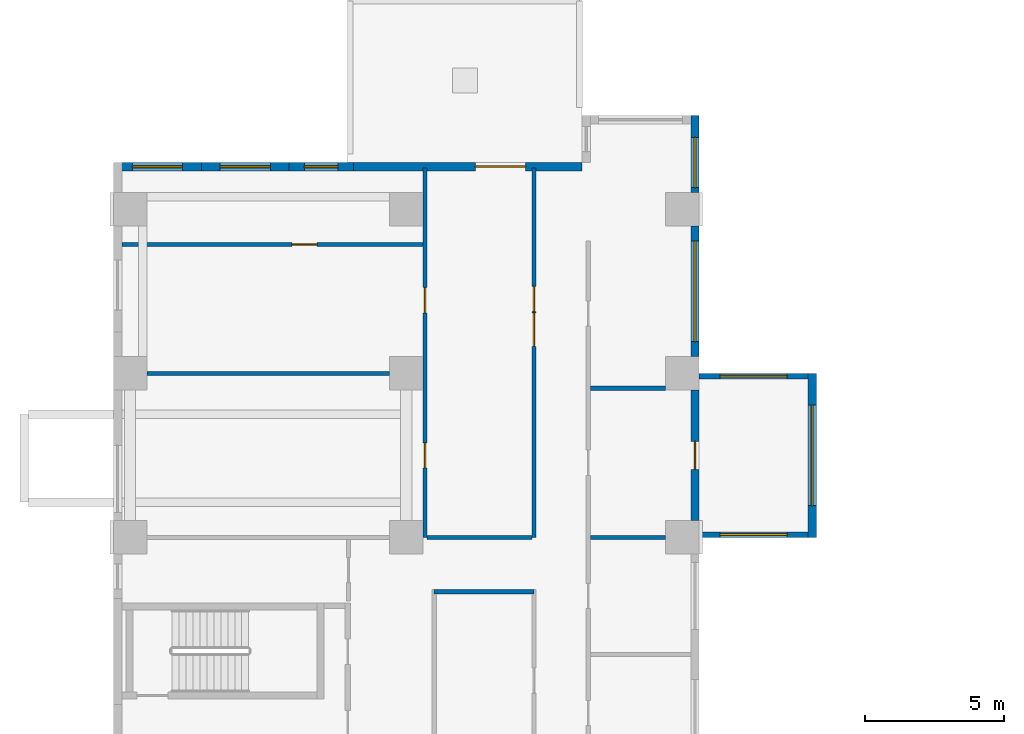
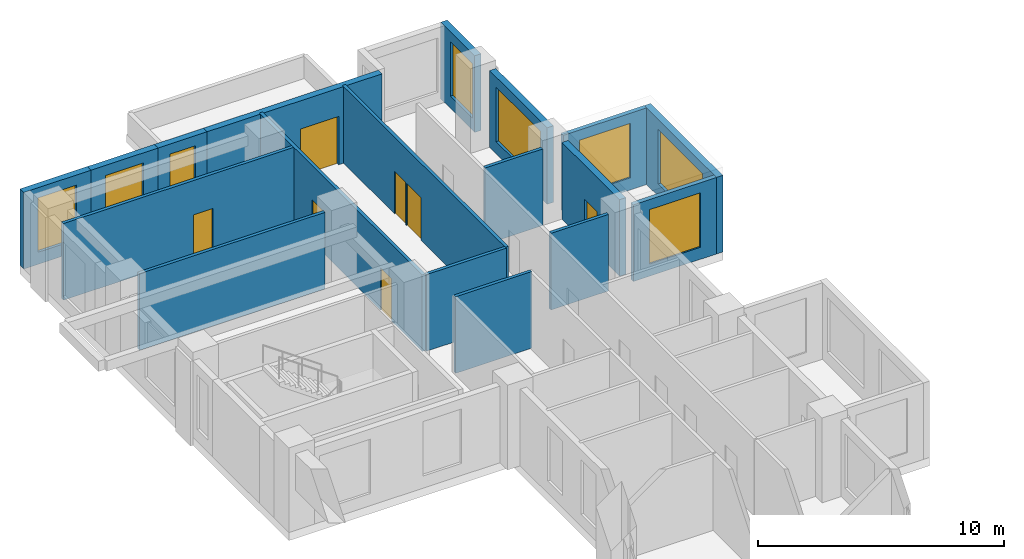
# One storey, part 8 of 14: 18 walls, 8 windows, 7 doors, 15 openings.
"""IFC4 building model written with IfcOpenShell, lengths in metres."""

from ifc_helpers import new_model, si_unit, direction, frame, frame_2d, origin, place, context, subcontext, project, spatial, rectangle, extrude, source, transform, mapped, material, layer, layer_set, type_object, element, fill, save


model = new_model("IFC4")

# Units and contexts
model_context = context("Model", 3, precision=1e-05, world=origin(), true_north=direction((0.0, 1.0)))
body_context = subcontext(model_context, "Body", "Model", "MODEL_VIEW")
ifc_project = project(units=[si_unit("LENGTHUNIT", "METRE"), si_unit("AREAUNIT", "SQUARE_METRE"), si_unit("VOLUMEUNIT", "CUBIC_METRE"), si_unit("PLANEANGLEUNIT", "RADIAN"), si_unit("MASSUNIT", "GRAM", prefix="KILO")], contexts=[model_context])

# Site, building, storey
site_placement = place(None, origin())
site = spatial("IfcSite", under=ifc_project, at=site_placement, CompositionType="ELEMENT")
building_placement = place(site_placement, origin())
building = spatial("IfcBuilding", under=site, at=building_placement, Name="Aurelian Terraces", CompositionType="ELEMENT")
storey_placement = place(building_placement, frame((0.0, 0.0, 78.3)))
storey = spatial("IfcBuildingStorey", under=building, at=storey_placement, Name="L16", CompositionType="ELEMENT", Elevation=78.3)

# Wall, opening, door
ifc_material_1 = material(Name="Terracotta rainscreen cladding", Category="masonry")
ifc_layer_1 = layer(ifc_material_1, 0.3)
ifc_layer_set_1 = layer_set([ifc_layer_1], Name="EW-300")
wall_type_1 = type_object("IfcWallType", Name="EW-300", PredefinedType="STANDARD", material=ifc_layer_set_1)
wall_1_placement = place(storey_placement, frame((16.8, 59.49, 0.0), z_axis=(0.0, 0.0, 1.0), x_axis=(-1.0, 0.0, 0.0)))
wall_1 = element("IfcWall", 1, at=wall_1_placement, inside=storey, type_object=wall_type_1, Name="External wall L16 F11.28", PredefinedType="STANDARD", context=body_context, shape_type="SweptSolid", body=[
    extrude(rectangle(XDim=8.2, YDim=0.3, at=frame_2d((4.1, 0.0))), origin(), (0.0, 0.0, 1.0), 3.8),
])
shared_shape_1 = source(origin(), body_context, "Body", "SweptSolid", [
    extrude(rectangle(XDim=1.8, YDim=2.4, at=frame_2d((0.9, 1.2))), frame((0.0, 0.16, 0.0), z_axis=(0.0, -1.0, 0.0), x_axis=(1.0, 0.0, 0.0)), (0.0, 0.0, 1.0), 0.32),
])
opening_1_placement = place(wall_1_placement, frame((2.025, 0.0, 0.0)))
opening_1 = element("IfcOpeningElement", 2, at=opening_1_placement, cuts=wall_1, Name="Opening 81601", PredefinedType="OPENING", context=body_context, shape_type="MappedRepresentation", body=[
    mapped(shared_shape_1, transform((0.0, 0.0, 0.0), scale=1.0)),
])
ifc_material_2 = material(Name="Clear glazing", Category="glass")
door_type_1 = type_object("IfcDoorType", Name="BD-1800x2400", OperationType="SLIDING_TO_LEFT", PredefinedType="DOOR", material=ifc_material_2)
shared_shape_2 = source(origin(), body_context, "Body", "SweptSolid", [
    extrude(rectangle(XDim=1.8, YDim=2.4, at=frame_2d((0.9, 1.2))), frame((0.0, 0.025, 0.0), z_axis=(0.0, -1.0, 0.0), x_axis=(1.0, 0.0, 0.0)), (0.0, 0.0, 1.0), 0.05),
])
door_1_placement = place(opening_1_placement, origin())
door_1 = element("IfcDoor", 3, at=door_1_placement, inside=storey, type_object=door_type_1, Name="Terrace door L16 L16-F11-28.1", OperationType="SLIDING_TO_LEFT", OverallHeight=2.4, OverallWidth=1.8, PredefinedType="DOOR", context=body_context, shape_type="MappedRepresentation", body=[
    mapped(shared_shape_2, transform((0.0, 0.0, 0.0), scale=1.0)),
])
fill(opening_1, door_1)

# Wall, openings, doors
ifc_material_3 = material(Name="Gypsum board on steel studs", Category="steel")
ifc_layer_2 = layer(ifc_material_3, 0.15)
ifc_layer_set_2 = layer_set([ifc_layer_2], Name="Partition 150")
wall_type_2 = type_object("IfcWallType", Name="Partition 150", PredefinedType="PARTITIONING", material=ifc_layer_set_2)
wall_2_placement = place(storey_placement, frame((11.175, 46.2, 0.0), z_axis=(0.0, 0.0, 1.0), x_axis=(0.0, 1.0, 0.0)))
wall_2 = element("IfcWall", 4, at=wall_2_placement, inside=storey, type_object=wall_type_2, Name="Partition", PredefinedType="PARTITIONING", context=body_context, shape_type="SweptSolid", body=[
    extrude(rectangle(XDim=13.235, YDim=0.15, at=frame_2d((6.6175, 0.0))), origin(), (0.0, 0.0, 1.0), 3.8),
])
shared_shape_3 = source(origin(), body_context, "Body", "SweptSolid", [
    extrude(rectangle(XDim=0.9, YDim=2.1, at=frame_2d((0.45, 1.05))), frame((0.0, 0.085, 0.0), z_axis=(0.0, -1.0, 0.0), x_axis=(1.0, 0.0, 0.0)), (0.0, 0.0, 1.0), 0.17),
])
opening_2_placement = place(wall_2_placement, frame((2.4875, 0.0, 0.0)))
opening_2 = element("IfcOpeningElement", 5, at=opening_2_placement, cuts=wall_2, Name="Opening 716037", PredefinedType="OPENING", context=body_context, shape_type="MappedRepresentation", body=[
    mapped(shared_shape_3, transform((0.0, 0.0, 0.0), scale=1.0)),
])
opening_3_placement = place(wall_2_placement, frame((8.0525, 0.0, 0.0)))
opening_3 = element("IfcOpeningElement", 6, at=opening_3_placement, cuts=wall_2, Name="Opening 716038", PredefinedType="OPENING", context=body_context, shape_type="MappedRepresentation", body=[
    mapped(shared_shape_3, transform((0.0, 0.0, 0.0), scale=1.0)),
])
ifc_material_4 = material(Name="Timber door leaf", Category="wood")
door_type_2 = type_object("IfcDoorType", Name="Room door 900x2100 left", OperationType="SINGLE_SWING_LEFT", PredefinedType="DOOR", material=ifc_material_4)
shared_shape_4 = source(origin(), body_context, "Body", "SweptSolid", [
    extrude(rectangle(XDim=0.9, YDim=2.1, at=frame_2d((0.45, 1.05))), frame((0.0, 0.025, 0.0), z_axis=(0.0, -1.0, 0.0), x_axis=(1.0, 0.0, 0.0)), (0.0, 0.0, 1.0), 0.05),
])
door_2_placement = place(opening_2_placement, origin())
door_2 = element("IfcDoor", 7, at=door_2_placement, inside=storey, type_object=door_type_2, Name="Door 716037", OperationType="SINGLE_SWING_LEFT", OverallHeight=2.1, OverallWidth=0.9, PredefinedType="DOOR", context=body_context, shape_type="MappedRepresentation", body=[
    mapped(shared_shape_4, transform((0.0, 0.0, 0.0), scale=1.0)),
])
fill(opening_2, door_2)
door_type_3 = type_object("IfcDoorType", Name="Room door 900x2100 right", OperationType="SINGLE_SWING_RIGHT", PredefinedType="DOOR", material=ifc_material_4)
door_3_placement = place(opening_3_placement, origin())
door_3 = element("IfcDoor", 8, at=door_3_placement, inside=storey, type_object=door_type_3, Name="Door 716038", OperationType="SINGLE_SWING_RIGHT", OverallHeight=2.1, OverallWidth=0.9, PredefinedType="DOOR", context=body_context, shape_type="MappedRepresentation", body=[
    mapped(shared_shape_4, transform((0.0, 0.0, 0.0), scale=1.0)),
])
fill(opening_3, door_3)

# Wall, opening, window
ifc_material_5 = material(Name="Concrete fc' 40 MPa", Category="concrete")
ifc_layer_3 = layer(ifc_material_5, 0.3)
ifc_layer_set_3 = layer_set([ifc_layer_3], Name="STAIR BAY WALL 300")
wall_type_3 = type_object("IfcWallType", Name="STAIR BAY WALL 300", PredefinedType="SOLIDWALL", material=ifc_layer_set_3)
wall_3_placement = place(storey_placement, frame((8.6, 59.49, 0.0), z_axis=(0.0, 0.0, 1.0), x_axis=(-1.0, 0.0, 0.0)))
wall_3 = element("IfcWall", 9, at=wall_3_placement, inside=storey, type_object=wall_type_3, Name="Bearing wall L16 F11.28", PredefinedType="SOLIDWALL", context=body_context, shape_type="SweptSolid", body=[
    extrude(rectangle(XDim=2.3, YDim=0.3, at=frame_2d((1.15, 0.0))), origin(), (0.0, 0.0, 1.0), 3.8),
])
shared_shape_5 = source(origin(), body_context, "Body", "SweptSolid", [
    extrude(rectangle(XDim=1.2, YDim=2.7, at=frame_2d((0.6, 1.35))), frame((0.0, 0.16, 0.0), z_axis=(0.0, -1.0, 0.0), x_axis=(1.0, 0.0, 0.0)), (0.0, 0.0, 1.0), 0.32),
])
opening_4_placement = place(wall_3_placement, frame((0.55, 0.0, 0.6)))
opening_4 = element("IfcOpeningElement", 10, at=opening_4_placement, cuts=wall_3, Name="Opening W1227", PredefinedType="OPENING", context=body_context, shape_type="MappedRepresentation", body=[
    mapped(shared_shape_5, transform((0.0, 0.0, 0.0), scale=1.0)),
])
window_type_1 = type_object("IfcWindowType", Name="W-1200x2700", PartitioningType="SINGLE_PANEL", PredefinedType="WINDOW", material=ifc_material_2)
shared_shape_6 = source(origin(), body_context, "Body", "SweptSolid", [
    extrude(rectangle(XDim=1.2, YDim=2.7, at=frame_2d((0.6, 1.35))), frame((0.0, 0.03, 0.0), z_axis=(0.0, -1.0, 0.0), x_axis=(1.0, 0.0, 0.0)), (0.0, 0.0, 1.0), 0.06),
])
window_1_placement = place(opening_4_placement, origin())
window_1 = element("IfcWindow", 11, at=window_1_placement, inside=storey, type_object=window_type_1, Name="Window L16 L16-F11-28-P1", OverallHeight=2.7, OverallWidth=1.2, PartitioningType="SINGLE_PANEL", PredefinedType="WINDOW", context=body_context, shape_type="MappedRepresentation", body=[
    mapped(shared_shape_6, transform((0.0, 0.0, 0.0), scale=1.0)),
])
fill(opening_4, window_1)

wall_4_placement = place(storey_placement, frame((6.3, 59.49, 0.0), z_axis=(0.0, 0.0, 1.0), x_axis=(-1.0, 0.0, 0.0)))
wall_4 = element("IfcWall", 12, at=wall_4_placement, inside=storey, type_object=wall_type_3, Name="Bearing wall L16 F11.29", PredefinedType="SOLIDWALL", context=body_context, shape_type="SweptSolid", body=[
    extrude(rectangle(XDim=3.15, YDim=0.3, at=frame_2d((1.575, 0.0))), origin(), (0.0, 0.0, 1.0), 3.8),
])
shared_shape_7 = source(origin(), body_context, "Body", "SweptSolid", [
    extrude(rectangle(XDim=1.8, YDim=2.7, at=frame_2d((0.9, 1.35))), frame((0.0, 0.16, 0.0), z_axis=(0.0, -1.0, 0.0), x_axis=(1.0, 0.0, 0.0)), (0.0, 0.0, 1.0), 0.32),
])
opening_5_placement = place(wall_4_placement, frame((0.675, 0.0, 0.6)))
opening_5 = element("IfcOpeningElement", 13, at=opening_5_placement, cuts=wall_4, Name="Opening W1827", PredefinedType="OPENING", context=body_context, shape_type="MappedRepresentation", body=[
    mapped(shared_shape_7, transform((0.0, 0.0, 0.0), scale=1.0)),
])
window_type_2 = type_object("IfcWindowType", Name="W-1800x2700", PartitioningType="SINGLE_PANEL", PredefinedType="WINDOW", material=ifc_material_2)
shared_shape_8 = source(origin(), body_context, "Body", "SweptSolid", [
    extrude(rectangle(XDim=1.8, YDim=2.7, at=frame_2d((0.9, 1.35))), frame((0.0, 0.03, 0.0), z_axis=(0.0, -1.0, 0.0), x_axis=(1.0, 0.0, 0.0)), (0.0, 0.0, 1.0), 0.06),
])
window_2_placement = place(opening_5_placement, origin())
window_2 = element("IfcWindow", 14, at=window_2_placement, inside=storey, type_object=window_type_2, Name="Window L16 L16-F11-29-0", OverallHeight=2.7, OverallWidth=1.8, PartitioningType="SINGLE_PANEL", PredefinedType="WINDOW", context=body_context, shape_type="MappedRepresentation", body=[
    mapped(shared_shape_8, transform((0.0, 0.0, 0.0), scale=1.0)),
])
fill(opening_5, window_2)

# Wall, opening, door
shared_shape_9 = source(origin(), body_context, "Body", "SweptSolid", [
    extrude(rectangle(XDim=4.68, YDim=0.3, at=frame_2d((2.34, 0.0))), origin(), (0.0, 0.0, 1.0), 3.8),
])
wall_5_placement = place(storey_placement, frame((20.85, 46.8, 0.0), z_axis=(0.0, 0.0, 1.0), x_axis=(0.0, 1.0, 0.0)))
wall_5 = element("IfcWall", 15, at=wall_5_placement, inside=storey, type_object=wall_type_1, Name="External wall L16 F08.23", PredefinedType="STANDARD", context=body_context, shape_type="MappedRepresentation", body=[
    mapped(shared_shape_9, transform((0.0, 0.0, 0.0), scale=1.0)),
])
shared_shape_10 = source(origin(), body_context, "Body", "SweptSolid", [
    extrude(rectangle(XDim=1.0, YDim=2.1, at=frame_2d((0.5, 1.05))), frame((0.0, 0.16, 0.0), z_axis=(0.0, -1.0, 0.0), x_axis=(1.0, 0.0, 0.0)), (0.0, 0.0, 1.0), 0.32),
])
opening_6_placement = place(wall_5_placement, frame((1.84, 0.0, 0.0)))
opening_6 = element("IfcOpeningElement", 16, at=opening_6_placement, cuts=wall_5, Name="Opening 816003", PredefinedType="OPENING", context=body_context, shape_type="MappedRepresentation", body=[
    mapped(shared_shape_10, transform((0.0, 0.0, 0.0), scale=1.0)),
])
door_type_4 = type_object("IfcDoorType", Name="Room door 1000x2100 left", OperationType="SINGLE_SWING_LEFT", PredefinedType="DOOR", material=ifc_material_4)
shared_shape_11 = source(origin(), body_context, "Body", "SweptSolid", [
    extrude(rectangle(XDim=1.0, YDim=2.1, at=frame_2d((0.5, 1.05))), frame((0.0, 0.025, 0.0), z_axis=(0.0, -1.0, 0.0), x_axis=(1.0, 0.0, 0.0)), (0.0, 0.0, 1.0), 0.05),
])
door_4_placement = place(opening_6_placement, origin())
door_4 = element("IfcDoor", 17, at=door_4_placement, inside=storey, type_object=door_type_4, Name="Door 816003", OperationType="SINGLE_SWING_LEFT", OverallHeight=2.1, OverallWidth=1.0, PredefinedType="DOOR", context=body_context, shape_type="MappedRepresentation", body=[
    mapped(shared_shape_11, transform((0.0, 0.0, 0.0), scale=1.0)),
])
fill(opening_6, door_4)

# Wall, opening, window
wall_6_placement = place(storey_placement, frame((20.85, 52.68, 0.0), z_axis=(0.0, 0.0, 1.0), x_axis=(0.0, 1.0, 0.0)))
wall_6 = element("IfcWall", 18, at=wall_6_placement, inside=storey, type_object=wall_type_1, Name="External wall L16 F08.24", PredefinedType="STANDARD", context=body_context, shape_type="MappedRepresentation", body=[
    mapped(shared_shape_9, transform((0.0, 0.0, 0.0), scale=1.0)),
])
shared_shape_12 = source(origin(), body_context, "Body", "SweptSolid", [
    extrude(rectangle(XDim=3.6, YDim=2.7, at=frame_2d((1.8, 1.35))), frame((0.0, 0.16, 0.0), z_axis=(0.0, -1.0, 0.0), x_axis=(1.0, 0.0, 0.0)), (0.0, 0.0, 1.0), 0.32),
])
opening_7_placement = place(wall_6_placement, frame((0.54, 0.0, 0.6)))
opening_7 = element("IfcOpeningElement", 19, at=opening_7_placement, cuts=wall_6, Name="Opening W3627", PredefinedType="OPENING", context=body_context, shape_type="MappedRepresentation", body=[
    mapped(shared_shape_12, transform((0.0, 0.0, 0.0), scale=1.0)),
])
window_type_3 = type_object("IfcWindowType", Name="W-3600x2700", PartitioningType="SINGLE_PANEL", PredefinedType="WINDOW", material=ifc_material_2)
shared_shape_13 = source(origin(), body_context, "Body", "SweptSolid", [
    extrude(rectangle(XDim=3.6, YDim=2.7, at=frame_2d((1.8, 1.35))), frame((0.0, 0.03, 0.0), z_axis=(0.0, -1.0, 0.0), x_axis=(1.0, 0.0, 0.0)), (0.0, 0.0, 1.0), 0.06),
])
window_3_placement = place(opening_7_placement, origin())
window_3 = element("IfcWindow", 20, at=window_3_placement, inside=storey, type_object=window_type_3, Name="Window L16 L16-F08-24-0", OverallHeight=2.7, OverallWidth=3.6, PartitioningType="SINGLE_PANEL", PredefinedType="WINDOW", context=body_context, shape_type="MappedRepresentation", body=[
    mapped(shared_shape_13, transform((0.0, 0.0, 0.0), scale=1.0)),
])
fill(opening_7, window_3)

shared_shape_14 = source(origin(), body_context, "Body", "SweptSolid", [
    extrude(rectangle(XDim=2.76, YDim=0.3, at=frame_2d((1.38, 0.0))), origin(), (0.0, 0.0, 1.0), 3.8),
])
wall_7_placement = place(storey_placement, frame((20.85, 58.56, 0.0), z_axis=(0.0, 0.0, 1.0), x_axis=(0.0, 1.0, 0.0)))
wall_7 = element("IfcWall", 21, at=wall_7_placement, inside=storey, type_object=wall_type_1, Name="External wall L16 F08.25", PredefinedType="STANDARD", context=body_context, shape_type="MappedRepresentation", body=[
    mapped(shared_shape_14, transform((0.0, 0.0, 0.0), scale=1.0)),
])
opening_8_placement = place(wall_7_placement, frame((0.18, 0.0, 0.6)))
opening_8 = element("IfcOpeningElement", 22, at=opening_8_placement, cuts=wall_7, Name="Opening W1827", PredefinedType="OPENING", context=body_context, shape_type="MappedRepresentation", body=[
    mapped(shared_shape_7, transform((0.0, 0.0, 0.0), scale=1.0)),
])
window_4_placement = place(opening_8_placement, origin())
window_4 = element("IfcWindow", 23, at=window_4_placement, inside=storey, type_object=window_type_2, Name="Window L16 L16-F08-25-0", OverallHeight=2.7, OverallWidth=1.8, PartitioningType="SINGLE_PANEL", PredefinedType="WINDOW", context=body_context, shape_type="MappedRepresentation", body=[
    mapped(shared_shape_8, transform((0.0, 0.0, 0.0), scale=1.0)),
])
fill(opening_8, window_4)

ifc_layer_4 = layer(ifc_material_5, 0.2)
ifc_layer_set_4 = layer_set([ifc_layer_4], Name="BOX BEARING WALL 200")
wall_type_4 = type_object("IfcWallType", Name="BOX BEARING WALL 200", PredefinedType="SOLIDWALL", material=ifc_layer_set_4)
shared_shape_15 = source(origin(), body_context, "Body", "SweptSolid", [
    extrude(rectangle(XDim=3.9, YDim=0.2, at=frame_2d((1.95, 0.0))), origin(), (0.0, 0.0, 1.0), 3.8),
])
wall_8_placement = place(storey_placement, frame((21.0, 46.3, 0.0), z_axis=(0.0, 0.0, 1.0), x_axis=(1.0, 0.0, 0.0)))
wall_8 = element("IfcWall", 24, at=wall_8_placement, inside=storey, type_object=wall_type_4, Name="Box return L16 J18.1", PredefinedType="SOLIDWALL", context=body_context, shape_type="MappedRepresentation", body=[
    mapped(shared_shape_15, transform((0.0, 0.0, 0.0), scale=1.0)),
])
shared_shape_16 = source(origin(), body_context, "Body", "SweptSolid", [
    extrude(rectangle(XDim=2.4, YDim=2.7, at=frame_2d((1.2, 1.35))), frame((0.0, 0.11, 0.0), z_axis=(0.0, -1.0, 0.0), x_axis=(1.0, 0.0, 0.0)), (0.0, 0.0, 1.0), 0.22),
])
opening_9_placement = place(wall_8_placement, frame((0.75, 0.0, 0.6)))
opening_9 = element("IfcOpeningElement", 25, at=opening_9_placement, cuts=wall_8, Name="Opening W2427", PredefinedType="OPENING", context=body_context, shape_type="MappedRepresentation", body=[
    mapped(shared_shape_16, transform((0.0, 0.0, 0.0), scale=1.0)),
])
window_type_4 = type_object("IfcWindowType", Name="W-2400x2700", PartitioningType="SINGLE_PANEL", PredefinedType="WINDOW", material=ifc_material_2)
shared_shape_17 = source(origin(), body_context, "Body", "SweptSolid", [
    extrude(rectangle(XDim=2.4, YDim=2.7, at=frame_2d((1.2, 1.35))), frame((0.0, 0.03, 0.0), z_axis=(0.0, -1.0, 0.0), x_axis=(1.0, 0.0, 0.0)), (0.0, 0.0, 1.0), 0.06),
])
window_5_placement = place(opening_9_placement, origin())
window_5 = element("IfcWindow", 26, at=window_5_placement, inside=storey, type_object=window_type_4, Name="Window L16 J18-S1", OverallHeight=2.7, OverallWidth=2.4, PartitioningType="SINGLE_PANEL", PredefinedType="WINDOW", context=body_context, shape_type="MappedRepresentation", body=[
    mapped(shared_shape_17, transform((0.0, 0.0, 0.0), scale=1.0)),
])
fill(opening_9, window_5)

wall_9_placement = place(storey_placement, frame((21.0, 51.98, 0.0), z_axis=(0.0, 0.0, 1.0), x_axis=(1.0, 0.0, 0.0)))
wall_9 = element("IfcWall", 27, at=wall_9_placement, inside=storey, type_object=wall_type_4, Name="Box return L16 J18.2", PredefinedType="SOLIDWALL", context=body_context, shape_type="MappedRepresentation", body=[
    mapped(shared_shape_15, transform((0.0, 0.0, 0.0), scale=1.0)),
])
opening_10_placement = place(wall_9_placement, frame((0.75, 0.0, 0.6)))
opening_10 = element("IfcOpeningElement", 28, at=opening_10_placement, cuts=wall_9, Name="Opening W2427", PredefinedType="OPENING", context=body_context, shape_type="MappedRepresentation", body=[
    mapped(shared_shape_16, transform((0.0, 0.0, 0.0), scale=1.0)),
])
window_6_placement = place(opening_10_placement, origin())
window_6 = element("IfcWindow", 29, at=window_6_placement, inside=storey, type_object=window_type_4, Name="Window L16 J18-S2", OverallHeight=2.7, OverallWidth=2.4, PartitioningType="SINGLE_PANEL", PredefinedType="WINDOW", context=body_context, shape_type="MappedRepresentation", body=[
    mapped(shared_shape_17, transform((0.0, 0.0, 0.0), scale=1.0)),
])
fill(opening_10, window_6)

ifc_layer_5 = layer(ifc_material_5, 0.3)
ifc_layer_set_5 = layer_set([ifc_layer_5], Name="BOX BEARING WALL 300")
wall_type_5 = type_object("IfcWallType", Name="BOX BEARING WALL 300", PredefinedType="SOLIDWALL", material=ifc_layer_set_5)
shared_shape_18 = source(origin(), body_context, "Body", "SweptSolid", [
    extrude(rectangle(XDim=5.88, YDim=0.3, at=frame_2d((2.94, 0.0))), origin(), (0.0, 0.0, 1.0), 3.8),
])
wall_10_placement = place(storey_placement, frame((25.05, 46.2, 0.0), z_axis=(0.0, 0.0, 1.0), x_axis=(0.0, 1.0, 0.0)))
wall_10 = element("IfcWall", 30, at=wall_10_placement, inside=storey, type_object=wall_type_5, Name="Box wall L16 J18", PredefinedType="SOLIDWALL", context=body_context, shape_type="MappedRepresentation", body=[
    mapped(shared_shape_18, transform((0.0, 0.0, 0.0), scale=1.0)),
])
opening_11_placement = place(wall_10_placement, frame((1.14, 0.0, 0.6)))
opening_11 = element("IfcOpeningElement", 31, at=opening_11_placement, cuts=wall_10, Name="Opening W3627", PredefinedType="OPENING", context=body_context, shape_type="MappedRepresentation", body=[
    mapped(shared_shape_12, transform((0.0, 0.0, 0.0), scale=1.0)),
])
window_7_placement = place(opening_11_placement, origin())
window_7 = element("IfcWindow", 32, at=window_7_placement, inside=storey, type_object=window_type_3, Name="Window L16 J18-F1", OverallHeight=2.7, OverallWidth=3.6, PartitioningType="SINGLE_PANEL", PredefinedType="WINDOW", context=body_context, shape_type="MappedRepresentation", body=[
    mapped(shared_shape_13, transform((0.0, 0.0, 0.0), scale=1.0)),
])
fill(opening_11, window_7)

shared_shape_19 = source(origin(), body_context, "Body", "SweptSolid", [
    extrude(rectangle(XDim=3.15, YDim=0.3, at=frame_2d((1.575, 0.0))), origin(), (0.0, 0.0, 1.0), 3.8),
])
wall_11_placement = place(storey_placement, frame((3.15, 59.49, 0.0), z_axis=(0.0, 0.0, 1.0), x_axis=(-1.0, 0.0, 0.0)))
wall_11 = element("IfcWall", 33, at=wall_11_placement, inside=storey, type_object=wall_type_3, Name="Bearing wall L16 F11.30", PredefinedType="SOLIDWALL", context=body_context, shape_type="MappedRepresentation", body=[
    mapped(shared_shape_19, transform((0.0, 0.0, 0.0), scale=1.0)),
])
opening_12_placement = place(wall_11_placement, frame((0.675, 0.0, 0.6)))
opening_12 = element("IfcOpeningElement", 34, at=opening_12_placement, cuts=wall_11, Name="Opening W1827", PredefinedType="OPENING", context=body_context, shape_type="MappedRepresentation", body=[
    mapped(shared_shape_7, transform((0.0, 0.0, 0.0), scale=1.0)),
])
window_8_placement = place(opening_12_placement, origin())
window_8 = element("IfcWindow", 35, at=window_8_placement, inside=storey, type_object=window_type_2, Name="Window L16 L16-F11-30-0", OverallHeight=2.7, OverallWidth=1.8, PartitioningType="SINGLE_PANEL", PredefinedType="WINDOW", context=body_context, shape_type="MappedRepresentation", body=[
    mapped(shared_shape_8, transform((0.0, 0.0, 0.0), scale=1.0)),
])
fill(opening_12, window_8)

# Walls
shared_shape_20 = source(origin(), body_context, "Body", "SweptSolid", [
    extrude(rectangle(XDim=3.75, YDim=0.15, at=frame_2d((1.875, 0.0))), origin(), (0.0, 0.0, 1.0), 3.8),
])
wall_12_placement = place(storey_placement, frame((15.0, 46.2, 0.0), z_axis=(0.0, 0.0, 1.0), x_axis=(-1.0, 0.0, 0.0)))
element("IfcWall", 36, at=wall_12_placement, inside=storey, type_object=wall_type_2, Name="Partition", PredefinedType="PARTITIONING", context=body_context, shape_type="MappedRepresentation", body=[
    mapped(shared_shape_20, transform((0.0, 0.0, 0.0), scale=1.0)),
])
shared_shape_21 = source(origin(), body_context, "Body", "SweptSolid", [
    extrude(rectangle(XDim=8.702, YDim=0.15, at=frame_2d((4.351, 0.0))), origin(), (0.0, 0.0, 1.0), 3.8),
])
wall_13_placement = place(storey_placement, frame((9.901, 52.08, 0.0), z_axis=(0.0, 0.0, 1.0), x_axis=(-1.0, 0.0, 0.0)))
element("IfcWall", 37, at=wall_13_placement, inside=storey, type_object=wall_type_2, Name="Partition", PredefinedType="PARTITIONING", context=body_context, shape_type="MappedRepresentation", body=[
    mapped(shared_shape_21, transform((0.0, 0.0, 0.0), scale=1.0)),
])
shared_shape_22 = source(origin(), body_context, "Body", "SweptSolid", [
    extrude(rectangle(XDim=2.701, YDim=0.15, at=frame_2d((1.3505, 0.0))), origin(), (0.0, 0.0, 1.0), 3.8),
])
for number, where, z_axis, x_axis, name in (
    (38, (17.1, 51.5475, 0.0), (0.0, 0.0, 1.0), (1.0, 0.0, 0.0), "Partition"),
    (39, (19.801, 46.2, 0.0), (0.0, 0.0, 1.0), (-1.0, 0.0, 0.0), "Partition"),
):
    element("IfcWall", number, at=place(storey_placement, frame(where, z_axis=z_axis, x_axis=x_axis)), inside=storey, type_object=wall_type_2, Name=name, PredefinedType="PARTITIONING", context=body_context, shape_type="MappedRepresentation", body=[
        mapped(shared_shape_22, transform((0.0, 0.0, 0.0), scale=1.0)),
    ])

# Wall, opening, door
shared_shape_23 = source(origin(), body_context, "Body", "SweptSolid", [
    extrude(rectangle(XDim=10.8, YDim=0.15, at=frame_2d((5.4, 0.0))), origin(), (0.0, 0.0, 1.0), 3.8),
])
wall_14_placement = place(storey_placement, frame((11.1, 56.7, 0.0), z_axis=(0.0, 0.0, 1.0), x_axis=(-1.0, 0.0, 0.0)))
wall_14 = element("IfcWall", 40, at=wall_14_placement, inside=storey, type_object=wall_type_2, Name="Partition", PredefinedType="PARTITIONING", context=body_context, shape_type="MappedRepresentation", body=[
    mapped(shared_shape_23, transform((0.0, 0.0, 0.0), scale=1.0)),
])
opening_13_placement = place(wall_14_placement, frame((3.8, 0.0, 0.0)))
opening_13 = element("IfcOpeningElement", 41, at=opening_13_placement, cuts=wall_14, Name="Opening 716048", PredefinedType="OPENING", context=body_context, shape_type="MappedRepresentation", body=[
    mapped(shared_shape_3, transform((0.0, 0.0, 0.0), scale=1.0)),
])
door_5_placement = place(opening_13_placement, origin())
door_5 = element("IfcDoor", 42, at=door_5_placement, inside=storey, type_object=door_type_2, Name="Door 716048", OperationType="SINGLE_SWING_LEFT", OverallHeight=2.1, OverallWidth=0.9, PredefinedType="DOOR", context=body_context, shape_type="MappedRepresentation", body=[
    mapped(shared_shape_4, transform((0.0, 0.0, 0.0), scale=1.0)),
])
fill(opening_13, door_5)

# Wall
shared_shape_24 = source(origin(), body_context, "Body", "SweptSolid", [
    extrude(rectangle(XDim=3.575, YDim=0.15, at=frame_2d((1.7875, 0.0))), origin(), (0.0, 0.0, 1.0), 3.8),
])
wall_15_placement = place(storey_placement, frame((15.075, 44.25, 0.0), z_axis=(0.0, 0.0, 1.0), x_axis=(-1.0, 0.0, 0.0)))
element("IfcWall", 43, at=wall_15_placement, inside=storey, type_object=wall_type_2, Name="Partition", PredefinedType="PARTITIONING", context=body_context, shape_type="MappedRepresentation", body=[
    mapped(shared_shape_24, transform((0.0, 0.0, 0.0), scale=1.0)),
])

# Wall, openings, doors
ifc_layer_6 = layer(ifc_material_3, 0.15)
ifc_layer_set_6 = layer_set([ifc_layer_6], Name="Fire partition 150")
wall_type_6 = type_object("IfcWallType", Name="Fire partition 150", PredefinedType="PARTITIONING", material=ifc_layer_set_6)
shared_shape_25 = source(origin(), body_context, "Body", "SweptSolid", [
    extrude(rectangle(XDim=13.235, YDim=0.15, at=frame_2d((6.6175, 0.0))), origin(), (0.0, 0.0, 1.0), 3.8),
])
wall_16_placement = place(storey_placement, frame((15.075, 46.2, 0.0), z_axis=(0.0, 0.0, 1.0), x_axis=(0.0, 1.0, 0.0)))
wall_16 = element("IfcWall", 44, at=wall_16_placement, inside=storey, type_object=wall_type_6, Name="Corridor wall", PredefinedType="PARTITIONING", context=body_context, shape_type="MappedRepresentation", body=[
    mapped(shared_shape_25, transform((0.0, 0.0, 0.0), scale=1.0)),
])
shared_shape_26 = source(origin(), body_context, "Body", "SweptSolid", [
    extrude(rectangle(XDim=1.2, YDim=2.1, at=frame_2d((0.6, 1.05))), frame((0.0, 0.085, 0.0), z_axis=(0.0, -1.0, 0.0), x_axis=(1.0, 0.0, 0.0)), (0.0, 0.0, 1.0), 0.17),
])
opening_14_placement = place(wall_16_placement, frame((6.8475, 0.0, 0.0)))
opening_14 = element("IfcOpeningElement", 45, at=opening_14_placement, cuts=wall_16, Name="Opening 716036", PredefinedType="OPENING", context=body_context, shape_type="MappedRepresentation", body=[
    mapped(shared_shape_26, transform((0.0, 0.0, 0.0), scale=1.0)),
])
opening_15_placement = place(wall_16_placement, frame((8.098, 0.0, 0.0)))
opening_15 = element("IfcOpeningElement", 46, at=opening_15_placement, cuts=wall_16, Name="Opening 716039", PredefinedType="OPENING", context=body_context, shape_type="MappedRepresentation", body=[
    mapped(shared_shape_3, transform((0.0, 0.0, 0.0), scale=1.0)),
])
door_6_placement = place(opening_15_placement, origin())
door_6 = element("IfcDoor", 47, at=door_6_placement, inside=storey, type_object=door_type_2, Name="Door 716039", OperationType="SINGLE_SWING_LEFT", OverallHeight=2.1, OverallWidth=0.9, PredefinedType="DOOR", context=body_context, shape_type="MappedRepresentation", body=[
    mapped(shared_shape_4, transform((0.0, 0.0, 0.0), scale=1.0)),
])
fill(opening_15, door_6)
door_type_5 = type_object("IfcDoorType", Name="Room door 1200x2100 right", OperationType="SINGLE_SWING_RIGHT", PredefinedType="DOOR", material=ifc_material_4)
shared_shape_27 = source(origin(), body_context, "Body", "SweptSolid", [
    extrude(rectangle(XDim=1.2, YDim=2.1, at=frame_2d((0.6, 1.05))), frame((0.0, 0.025, 0.0), z_axis=(0.0, -1.0, 0.0), x_axis=(1.0, 0.0, 0.0)), (0.0, 0.0, 1.0), 0.05),
])
door_7_placement = place(opening_14_placement, origin())
door_7 = element("IfcDoor", 48, at=door_7_placement, inside=storey, type_object=door_type_5, Name="Door 716036", OperationType="SINGLE_SWING_RIGHT", OverallHeight=2.1, OverallWidth=1.2, PredefinedType="DOOR", context=body_context, shape_type="MappedRepresentation", body=[
    mapped(shared_shape_27, transform((0.0, 0.0, 0.0), scale=1.0)),
])
fill(opening_14, door_7)

save(model, "model.ifc")
